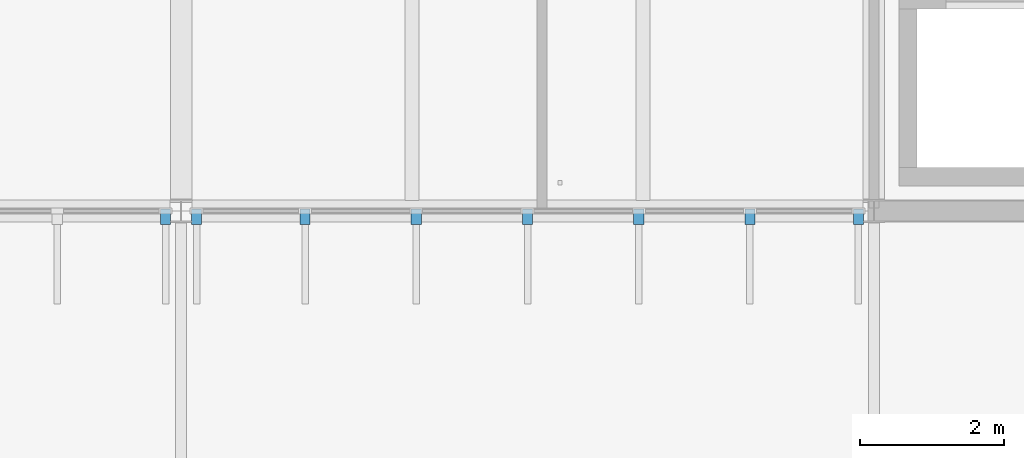
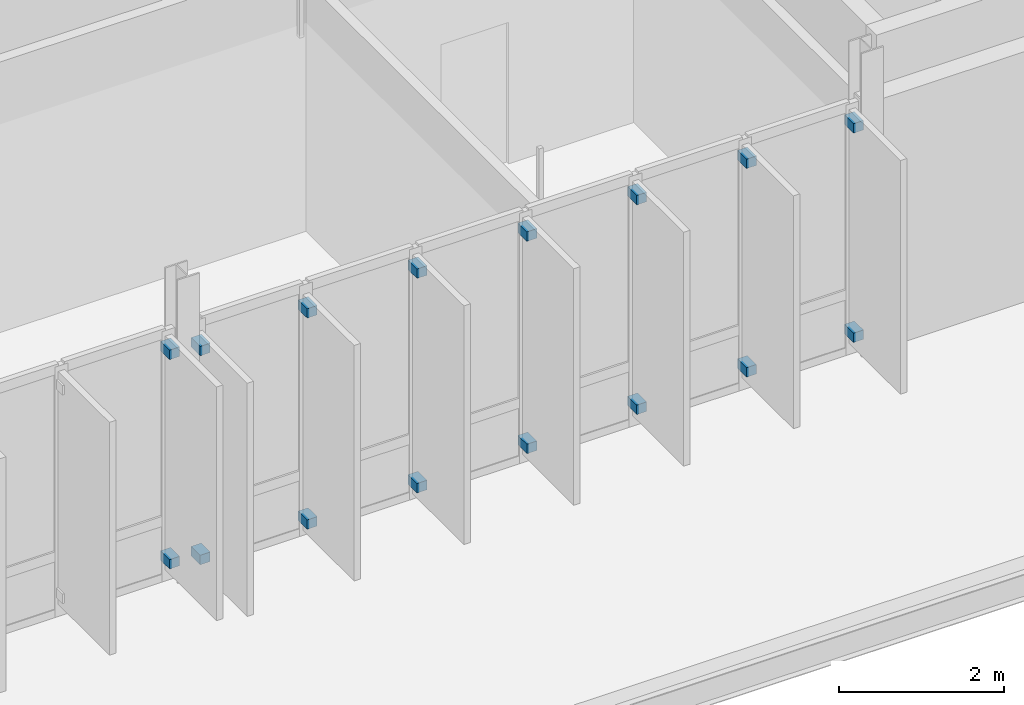
# One storey, part 94 of 107: 16 discrete accessories.
"""IFC4 building model written with IfcOpenShell, lengths in metres."""

from ifc_helpers import new_model, si_unit, direction, frame, origin, origin_2d, place, context, subcontext, project, spatial, rectangle, extrude, material, type_object, element, save


model = new_model("IFC4")

# Units and contexts
model_context = context("Model", 3, precision=1e-05, world=origin(), true_north=direction((0.0, 1.0)))
body_context = subcontext(model_context, "Body", "Model", "MODEL_VIEW")
ifc_project = project(units=[si_unit("LENGTHUNIT", "METRE"), si_unit("AREAUNIT", "SQUARE_METRE"), si_unit("VOLUMEUNIT", "CUBIC_METRE"), si_unit("PLANEANGLEUNIT", "RADIAN"), si_unit("MASSUNIT", "GRAM", prefix="KILO")], contexts=[model_context])

# Site, building, storey
site_placement = place(None, origin())
site = spatial("IfcSite", under=ifc_project, at=site_placement, CompositionType="ELEMENT")
building_placement = place(site_placement, origin())
building = spatial("IfcBuilding", under=site, at=building_placement, Name="Dunescarp Central Library", CompositionType="ELEMENT")
storey_placement = place(building_placement, frame((0.0, 0.0, 5.10009765625)))
storey = spatial("IfcBuildingStorey", under=building, at=storey_placement, Name="L01", CompositionType="ELEMENT", Elevation=5.10009765625)

# Discrete accessories
ifc_material = material(Name="Stainless steel Grade 316L", Category="steel")
discrete_accessory_type = type_object("IfcDiscreteAccessoryType", Name="ARC-ACC-BRK", PredefinedType="BRACKET", material=ifc_material)
for number, where, z_axis, x_axis, name in (
    (1, (106.985107421875, 4.719970703125, 0.27685546875), (0.0, 0.0, 1.0), (0.0, -1.0, 0.0), "Fin bracket BRK-FIN-L01-0591-B"),
    (2, (106.985107421875, 4.719970703125, 3.384765625), (0.0, 0.0, 1.0), (0.0, -1.0, 0.0), "Fin bracket BRK-FIN-L01-0591-T"),
    (3, (116.5849609375, 4.719970703125, 0.27685546875), (0.0, 0.0, 1.0), (0.0, -1.0, 0.0), "Fin bracket BRK-FIN-L01-0598-B"),
    (4, (116.5849609375, 4.719970703125, 3.384765625), (0.0, 0.0, 1.0), (0.0, -1.0, 0.0), "Fin bracket BRK-FIN-L01-0598-T"),
    (5, (115.0830078125, 4.719970703125, 0.2900390625), (0.0, 0.0, 1.0), (0.0, -1.0, 0.0), "Fin bracket BRK-FIN-L01-0599-B"),
    (6, (115.0830078125, 4.719970703125, 3.384765625), (0.0, 0.0, 1.0), (0.0, -1.0, 0.0), "Fin bracket BRK-FIN-L01-0599-T"),
    (7, (113.5419921875, 4.719970703125, 0.27392578125), (0.0, 0.0, 1.0), (0.0, -1.0, 0.0), "Fin bracket BRK-FIN-L01-0600-B"),
    (8, (113.5419921875, 4.719970703125, 3.384765625), (0.0, 0.0, 1.0), (0.0, -1.0, 0.0), "Fin bracket BRK-FIN-L01-0600-T"),
    (9, (112.0, 4.719970703125, 0.23291015625), (0.0, 0.0, 1.0), (0.0, -1.0, 0.0), "Fin bracket BRK-FIN-L01-0601-B"),
    (10, (112.0, 4.719970703125, 3.384765625), (0.0, 0.0, 1.0), (0.0, -1.0, 0.0), "Fin bracket BRK-FIN-L01-0601-T"),
    (11, (110.4580078125, 4.719970703125, 0.18994140625), (0.0, 0.0, 1.0), (0.0, -1.0, 0.0), "Fin bracket BRK-FIN-L01-0602-B"),
    (12, (110.4580078125, 4.719970703125, 3.3740234375), (0.0, 0.0, 1.0), (0.0, -1.0, 0.0), "Fin bracket BRK-FIN-L01-0602-T"),
    (13, (108.9169921875, 4.719970703125, 0.18994140625), (0.0, 0.0, 1.0), (0.0, -1.0, 0.0), "Fin bracket BRK-FIN-L01-0603-B"),
    (14, (108.9169921875, 4.719970703125, 3.32373046875), (0.0, 0.0, 1.0), (0.0, -1.0, 0.0), "Fin bracket BRK-FIN-L01-0603-T"),
    (15, (107.4150390625, 4.719970703125, 0.18994140625), (0.0, 0.0, 1.0), (0.0, -1.0, 0.0), "Fin bracket BRK-FIN-L01-0604-B"),
    (16, (107.4150390625, 4.719970703125, 3.291015625), (0.0, 0.0, 1.0), (0.0, -1.0, 0.0), "Fin bracket BRK-FIN-L01-0604-T"),
):
    element("IfcDiscreteAccessory", number, at=place(storey_placement, frame(where, z_axis=z_axis, x_axis=x_axis)), inside=storey, type_object=discrete_accessory_type, Name=name, PredefinedType="BRACKET", context=body_context, shape_type="SweptSolid", body=[
        extrude(rectangle(XDim=0.219970703125, YDim=0.139892578125, at=origin_2d()), origin(), (0.0, 0.0, 1.0), 0.139892578125),
    ])

save(model, "model.ifc")
